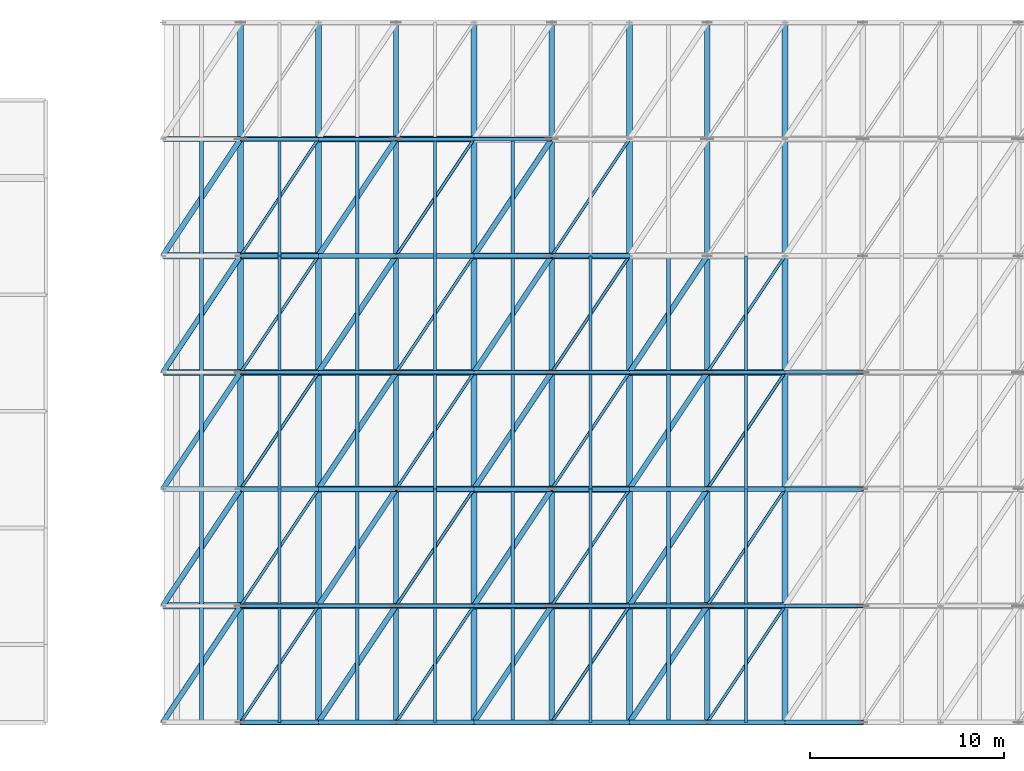
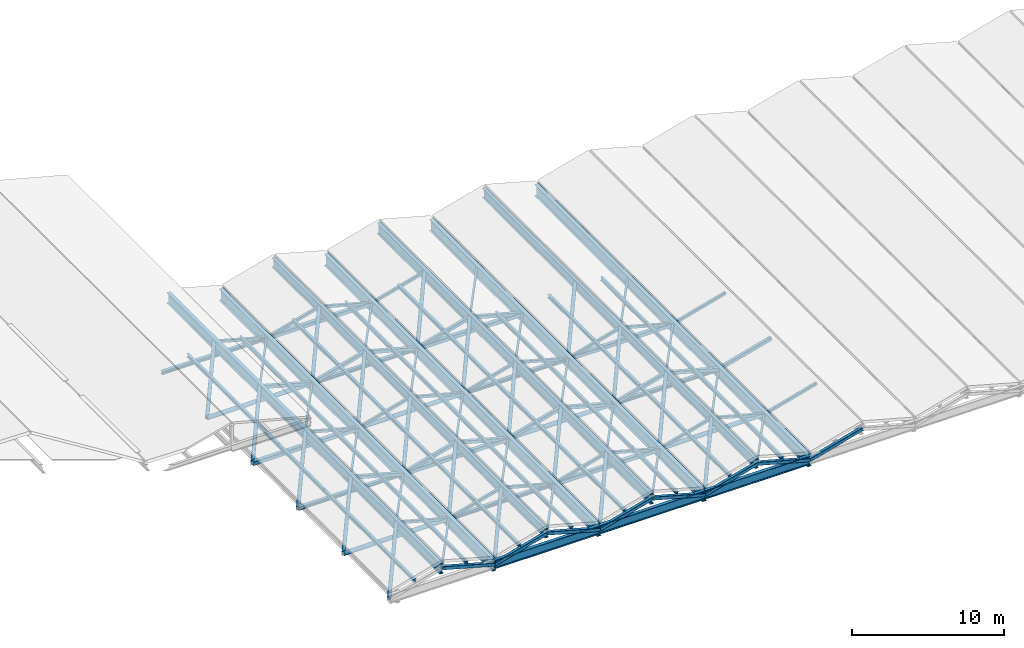
# One storey, part 4 of 27: 133 members, 11 beams.
"""IFC4 building model written with IfcOpenShell, lengths in metres."""

from ifc_helpers import new_model, si_unit, direction, frame, origin, origin_2d, place, context, subcontext, project, spatial, hollow_rectangle, hollow_circle, i_section, extrude, material, material_profile, profile_set, type_object, element, save


model = new_model("IFC4")

# Units and contexts
model_context = context("Model", 3, precision=1e-05, world=origin(), true_north=direction((0.0, 1.0)))
body_context = subcontext(model_context, "Body", "Model", "MODEL_VIEW")
ifc_project = project(units=[si_unit("LENGTHUNIT", "METRE"), si_unit("AREAUNIT", "SQUARE_METRE"), si_unit("VOLUMEUNIT", "CUBIC_METRE"), si_unit("PLANEANGLEUNIT", "RADIAN"), si_unit("MASSUNIT", "GRAM", prefix="KILO")], contexts=[model_context])

# Site, building, storey
site_placement = place(None, origin())
site = spatial("IfcSite", under=ifc_project, at=site_placement, CompositionType="ELEMENT")
building_placement = place(site_placement, origin())
building = spatial("IfcBuilding", under=site, at=building_placement, Name="Verrall Gate Interchange", CompositionType="ELEMENT")
storey_placement = place(building_placement, frame((0.0, 0.0, 32.800048828125)))
storey = spatial("IfcBuildingStorey", under=building, at=storey_placement, Name="RF", CompositionType="ELEMENT", Elevation=32.800048828125)

# Beams
ifc_material_1 = material(Name="Structural Steel CSA G40.21 350WT Cat 4", Category="steel")
ifc_material_profile_1 = material_profile(ifc_material_1, i_section(OverallWidth=0.30810546875, OverallDepth=0.927001953125, WebThickness=0.019287109375, FlangeThickness=0.03173828125, FilletRadius=0.02197265625, at=origin_2d()), Name="W920x345")
ifc_profile_set_1 = profile_set([ifc_material_profile_1], Name="Structural Steel CSA G40.21 350WT Cat 4")
beam_type_1 = type_object("IfcBeamType", Name="B-04 Structural Beam W920x345", PredefinedType="BEAM", material=ifc_profile_set_1)
for number, where, z_axis, x_axis, name in (
    (1, (44.0, 12.0, -16.921630859375), (0.0, 1.0, 0.0), (-1.0, 0.0, 0.0), "Folded-Plate Valley Girder X=44"),
    (2, (52.0, 12.0, -16.921630859375), (0.0, 1.0, 0.0), (-1.0, 0.0, 0.0), "Folded-Plate Valley Girder X=52"),
    (3, (60.0, 12.0, -16.921630859375), (0.0, 1.0, 0.0), (-1.0, 0.0, 0.0), "Folded-Plate Valley Girder X=60"),
    (4, (68.0, 12.0, -16.921630859375), (0.0, 1.0, 0.0), (-1.0, 0.0, 0.0), "Folded-Plate Valley Girder X=68"),
):
    element("IfcBeam", number, at=place(storey_placement, frame(where, z_axis=z_axis, x_axis=x_axis)), inside=storey, type_object=beam_type_1, Name=name, PredefinedType="BEAM", context=body_context, shape_type="SweptSolid", body=[
        extrude(i_section(OverallWidth=0.30810546875, OverallDepth=0.927001953125, WebThickness=0.019287109375, FlangeThickness=0.03173828125, FilletRadius=0.02197265625, at=origin_2d()), origin(), (0.0, 0.0, 1.0), 36.0),
    ])
ifc_material_2 = material(Name="Structural Steel CSA G40.21 350WT Cat 4", Category="steel")
ifc_material_profile_2 = material_profile(ifc_material_2, i_section(OverallWidth=0.2919921875, OverallDepth=0.85498046875, WebThickness=0.018310546875, FlangeThickness=0.029296875, FilletRadius=0.02001953125, at=origin_2d()), Name="W840x299")
ifc_profile_set_2 = profile_set([ifc_material_profile_2], Name="Structural Steel CSA G40.21 350WT Cat 4")
beam_type_2 = type_object("IfcBeamType", Name="B-05 Structural Beam W840x299", PredefinedType="BEAM", material=ifc_profile_set_2)
for number, where, z_axis, x_axis, name in (
    (5, (40.0, 12.0, -15.78564453125), (0.0, 1.0, 0.0), (-1.0, 0.0, 0.0), "Folded-Plate Ridge Girder 01"),
    (6, (56.0, 12.0, -15.78564453125), (0.0, 1.0, 0.0), (-1.0, 0.0, 0.0), "Folded-Plate Ridge Girder 03"),
):
    element("IfcBeam", number, at=place(storey_placement, frame(where, z_axis=z_axis, x_axis=x_axis)), inside=storey, type_object=beam_type_2, Name=name, PredefinedType="BEAM", context=body_context, shape_type="SweptSolid", body=[
        extrude(i_section(OverallWidth=0.2919921875, OverallDepth=0.85498046875, WebThickness=0.018310546875, FlangeThickness=0.029296875, FilletRadius=0.02001953125, at=origin_2d()), origin(), (0.0, 0.0, 1.0), 36.0),
    ])
ifc_material_3 = material(Name="Structural Steel CSA G40.21 350WT Cat 4", Category="steel")
ifc_material_profile_3 = material_profile(ifc_material_3, i_section(OverallWidth=0.26611328125, OverallDepth=0.760009765625, WebThickness=0.015625, FlangeThickness=0.023681640625, FilletRadius=0.01806640625, at=origin_2d()), Name="W760x220")
ifc_profile_set_3 = profile_set([ifc_material_profile_3], Name="Structural Steel CSA G40.21 350WT Cat 4")
beam_type_3 = type_object("IfcBeamType", Name="B-06 Structural Beam W760x220", PredefinedType="BEAM", material=ifc_profile_set_3)
for number, where, z_axis, x_axis, name in (
    (7, (48.0, 12.0, -15.73828125), (0.0, 1.0, 0.0), (-1.0, 0.0, 0.0), "Folded-Plate Ridge Girder 02"),
    (8, (64.0, 12.0, -15.73828125), (0.0, 1.0, 0.0), (-1.0, 0.0, 0.0), "Folded-Plate Ridge Girder 04"),
):
    element("IfcBeam", number, at=place(storey_placement, frame(where, z_axis=z_axis, x_axis=x_axis)), inside=storey, type_object=beam_type_3, Name=name, PredefinedType="BEAM", context=body_context, shape_type="SweptSolid", body=[
        extrude(i_section(OverallWidth=0.26611328125, OverallDepth=0.760009765625, WebThickness=0.015625, FlangeThickness=0.023681640625, FilletRadius=0.01806640625, at=origin_2d()), origin(), (0.0, 0.0, 1.0), 36.0),
    ])
ifc_material_4 = material(Name="Structural Steel CSA G40.21 350WT Cat 4", Category="steel")
ifc_material_profile_4 = material_profile(ifc_material_4, i_section(OverallWidth=0.256103515625, OverallDepth=0.693115234375, WebThickness=0.01318359375, FlangeThickness=0.02001953125, FilletRadius=0.01611328125, at=origin_2d()), Name="W690x170")
ifc_profile_set_4 = profile_set([ifc_material_profile_4], Name="Structural Steel CSA G40.21 350WT Cat 4")
beam_type_4 = type_object("IfcBeamType", Name="B-07 Structural Beam W690x170", PredefinedType="BEAM", material=ifc_profile_set_4)
for number, where, z_axis, x_axis, name in (
    (9, (44.0, 12.0, -16.8046875), (1.0, 0.0, 0.0), (0.0, 1.0, 0.0), "Concourse Roof End Tie Girder 02"),
    (10, (52.0, 12.0, -16.8046875), (1.0, 0.0, 0.0), (0.0, 1.0, 0.0), "Concourse Roof End Tie Girder 03"),
    (11, (60.0, 12.0, -16.8046875), (1.0, 0.0, 0.0), (0.0, 1.0, 0.0), "Concourse Roof End Tie Girder 04"),
):
    element("IfcBeam", number, at=place(storey_placement, frame(where, z_axis=z_axis, x_axis=x_axis)), inside=storey, type_object=beam_type_4, Name=name, PredefinedType="BEAM", context=body_context, shape_type="SweptSolid", body=[
        extrude(i_section(OverallWidth=0.256103515625, OverallDepth=0.693115234375, WebThickness=0.01318359375, FlangeThickness=0.02001953125, FilletRadius=0.01611328125, at=origin_2d()), origin(), (0.0, 0.0, 1.0), 8.0),
    ])

# Members
ifc_material_5 = material(Name="Structural Steel CSA G40.21 350WT Cat 4", Category="steel")
ifc_material_profile_5 = material_profile(ifc_material_5, hollow_circle(Radius=0.136474609375, WallThickness=0.009521484375, at=origin_2d()), Name="HSS273x9.5")
ifc_profile_set_5 = profile_set([ifc_material_profile_5], Name="Structural Steel CSA G40.21 350WT Cat 4")
member_type_1 = type_object("IfcMemberType", Name="BR-01 Diagonal Brace HSS273x9.5", PredefinedType="BRACE", material=ifc_profile_set_5)
for number, where, z_axis, x_axis, name in (
    (12, (36.0, 12.0, -16.808349609375), (0.548355855136, 0.822533782704, 0.150811247756), (-0.832050294338, 0.554700196225, 0.0), "Folded-Plate Space Truss Diagonal W 1.0"),
    (13, (36.0, 18.0, -16.808349609375), (0.548355855136, 0.822533782704, 0.150811247756), (-0.832050294338, 0.554700196225, 0.0), "Folded-Plate Space Truss Diagonal W 1.1"),
    (14, (36.0, 24.0, -16.808349609375), (0.548355855136, 0.822533782704, 0.150811247756), (-0.832050294338, 0.554700196225, 0.0), "Folded-Plate Space Truss Diagonal W 1.2"),
    (15, (36.0, 30.0, -16.808349609375), (0.548355855136, 0.822533782704, 0.150811247756), (-0.832050294338, 0.554700196225, 0.0), "Folded-Plate Space Truss Diagonal W 1.3"),
    (16, (36.0, 36.0, -16.808349609375), (0.548355855136, 0.822533782704, 0.150811247756), (-0.832050294338, 0.554700196225, 0.0), "Folded-Plate Space Truss Diagonal W 1.4"),
    (17, (44.0, 12.0, -16.808349609375), (0.548355855136, 0.822533782704, 0.150811247756), (-0.832050294338, 0.554700196225, 0.0), "Folded-Plate Space Truss Diagonal W 2.0"),
    (18, (44.0, 18.0, -16.808349609375), (0.548355855136, 0.822533782704, 0.150811247756), (-0.832050294338, 0.554700196225, 0.0), "Folded-Plate Space Truss Diagonal W 2.1"),
    (19, (44.0, 24.0, -16.808349609375), (0.548355855136, 0.822533782704, 0.150811247756), (-0.832050294338, 0.554700196225, 0.0), "Folded-Plate Space Truss Diagonal W 2.2"),
    (20, (44.0, 30.0, -16.808349609375), (0.548355855136, 0.822533782704, 0.150811247756), (-0.832050294338, 0.554700196225, 0.0), "Folded-Plate Space Truss Diagonal W 2.3"),
    (21, (44.0, 36.0, -16.808349609375), (0.548355855136, 0.822533782704, 0.150811247756), (-0.832050294338, 0.554700196225, 0.0), "Folded-Plate Space Truss Diagonal W 2.4"),
    (22, (52.0, 12.0, -16.808349609375), (0.548355855136, 0.822533782704, 0.150811247756), (-0.832050294338, 0.554700196225, 0.0), "Folded-Plate Space Truss Diagonal W 3.0"),
    (23, (52.0, 18.0, -16.808349609375), (0.548355855136, 0.822533782704, 0.150811247756), (-0.832050294338, 0.554700196225, 0.0), "Folded-Plate Space Truss Diagonal W 3.1"),
    (24, (52.0, 24.0, -16.808349609375), (0.548355855136, 0.822533782704, 0.150811247756), (-0.832050294338, 0.554700196225, 0.0), "Folded-Plate Space Truss Diagonal W 3.2"),
    (25, (52.0, 30.0, -16.808349609375), (0.548355855136, 0.822533782704, 0.150811247756), (-0.832050294338, 0.554700196225, 0.0), "Folded-Plate Space Truss Diagonal W 3.3"),
    (26, (52.0, 36.0, -16.808349609375), (0.548355855136, 0.822533782704, 0.150811247756), (-0.832050294338, 0.554700196225, 0.0), "Folded-Plate Space Truss Diagonal W 3.4"),
    (27, (60.0, 12.0, -16.808349609375), (0.548355855136, 0.822533782704, 0.150811247756), (-0.832050294338, 0.554700196225, 0.0), "Folded-Plate Space Truss Diagonal W 4.0"),
    (28, (60.0, 18.0, -16.808349609375), (0.548355855136, 0.822533782704, 0.150811247756), (-0.832050294338, 0.554700196225, 0.0), "Folded-Plate Space Truss Diagonal W 4.1"),
    (29, (60.0, 24.0, -16.808349609375), (0.548355855136, 0.822533782704, 0.150811247756), (-0.832050294338, 0.554700196225, 0.0), "Folded-Plate Space Truss Diagonal W 4.2"),
    (30, (60.0, 30.0, -16.808349609375), (0.548355855136, 0.822533782704, 0.150811247756), (-0.832050294338, 0.554700196225, 0.0), "Folded-Plate Space Truss Diagonal W 4.3"),
):
    element("IfcMember", number, at=place(storey_placement, frame(where, z_axis=z_axis, x_axis=x_axis)), inside=storey, type_object=member_type_1, Name=name, PredefinedType="BRACE", context=body_context, shape_type="SweptSolid", body=[
        extrude(hollow_circle(Radius=0.136474609375, WallThickness=0.009521484375, at=origin_2d()), origin(), (0.0, 0.0, 1.0), 7.29443359375),
    ])
ifc_material_6 = material(Name="Structural Steel CSA G40.21 350WT Cat 4", Category="steel")
ifc_material_profile_6 = material_profile(ifc_material_6, hollow_rectangle(XDim=0.152099609375, YDim=0.152099609375, WallThickness=0.008056640625, InnerFilletRadius=0.008056640625, OuterFilletRadius=0.015869140625, at=origin_2d()), Name="HSS152x152x8.0")
ifc_profile_set_6 = profile_set([ifc_material_profile_6], Name="Structural Steel CSA G40.21 350WT Cat 4")
member_type_2 = type_object("IfcMemberType", Name="BR-04 Diagonal Brace HSS152x152x8.0", PredefinedType="BRACE", material=ifc_profile_set_6)
for number, where, z_axis, x_axis, name in (
    (31, (40.0, 12.0, -15.708251953125), (0.548355855136, 0.822533782704, -0.150811247756), (-0.832050294338, 0.554700196225, 0.0), "Folded-Plate Space Truss Diagonal E 1.0"),
    (32, (40.0, 18.0, -15.708251953125), (0.548355855136, 0.822533782704, -0.150811247756), (-0.832050294338, 0.554700196225, 0.0), "Folded-Plate Space Truss Diagonal E 1.1"),
    (33, (40.0, 24.0, -15.708251953125), (0.548355855136, 0.822533782704, -0.150811247756), (-0.832050294338, 0.554700196225, 0.0), "Folded-Plate Space Truss Diagonal E 1.2"),
    (34, (40.0, 30.0, -15.708251953125), (0.548355855136, 0.822533782704, -0.150811247756), (-0.832050294338, 0.554700196225, 0.0), "Folded-Plate Space Truss Diagonal E 1.3"),
    (35, (40.0, 36.0, -15.708251953125), (0.548355855136, 0.822533782704, -0.150811247756), (-0.832050294338, 0.554700196225, 0.0), "Folded-Plate Space Truss Diagonal E 1.4"),
    (36, (48.0, 12.0, -15.708251953125), (0.548355855136, 0.822533782704, -0.150811247756), (-0.832050294338, 0.554700196225, 0.0), "Folded-Plate Space Truss Diagonal E 2.0"),
    (37, (48.0, 18.0, -15.708251953125), (0.548355855136, 0.822533782704, -0.150811247756), (-0.832050294338, 0.554700196225, 0.0), "Folded-Plate Space Truss Diagonal E 2.1"),
    (38, (48.0, 24.0, -15.708251953125), (0.548355855136, 0.822533782704, -0.150811247756), (-0.832050294338, 0.554700196225, 0.0), "Folded-Plate Space Truss Diagonal E 2.2"),
    (39, (48.0, 30.0, -15.708251953125), (0.548355855136, 0.822533782704, -0.150811247756), (-0.832050294338, 0.554700196225, 0.0), "Folded-Plate Space Truss Diagonal E 2.3"),
    (40, (48.0, 36.0, -15.708251953125), (0.548355855136, 0.822533782704, -0.150811247756), (-0.832050294338, 0.554700196225, 0.0), "Folded-Plate Space Truss Diagonal E 2.4"),
    (41, (56.0, 12.0, -15.708251953125), (0.548355855136, 0.822533782704, -0.150811247756), (-0.832050294338, 0.554700196225, 0.0), "Folded-Plate Space Truss Diagonal E 3.0"),
    (42, (56.0, 18.0, -15.708251953125), (0.548355855136, 0.822533782704, -0.150811247756), (-0.832050294338, 0.554700196225, 0.0), "Folded-Plate Space Truss Diagonal E 3.1"),
    (43, (56.0, 24.0, -15.708251953125), (0.548355855136, 0.822533782704, -0.150811247756), (-0.832050294338, 0.554700196225, 0.0), "Folded-Plate Space Truss Diagonal E 3.2"),
    (44, (56.0, 30.0, -15.708251953125), (0.548355855136, 0.822533782704, -0.150811247756), (-0.832050294338, 0.554700196225, 0.0), "Folded-Plate Space Truss Diagonal E 3.3"),
    (45, (56.0, 36.0, -15.708251953125), (0.548355855136, 0.822533782704, -0.150811247756), (-0.832050294338, 0.554700196225, 0.0), "Folded-Plate Space Truss Diagonal E 3.4"),
    (46, (64.0, 12.0, -15.708251953125), (0.548355855136, 0.822533782704, -0.150811247756), (-0.832050294338, 0.554700196225, 0.0), "Folded-Plate Space Truss Diagonal E 4.0"),
    (47, (64.0, 18.0, -15.708251953125), (0.548355855136, 0.822533782704, -0.150811247756), (-0.832050294338, 0.554700196225, 0.0), "Folded-Plate Space Truss Diagonal E 4.1"),
    (48, (64.0, 24.0, -15.708251953125), (0.548355855136, 0.822533782704, -0.150811247756), (-0.832050294338, 0.554700196225, 0.0), "Folded-Plate Space Truss Diagonal E 4.2"),
    (49, (64.0, 30.0, -15.708251953125), (0.548355855136, 0.822533782704, -0.150811247756), (-0.832050294338, 0.554700196225, 0.0), "Folded-Plate Space Truss Diagonal E 4.3"),
):
    element("IfcMember", number, at=place(storey_placement, frame(where, z_axis=z_axis, x_axis=x_axis)), inside=storey, type_object=member_type_2, Name=name, PredefinedType="BRACE", context=body_context, shape_type="SweptSolid", body=[
        extrude(hollow_rectangle(XDim=0.152099609375, YDim=0.152099609375, WallThickness=0.008056640625, InnerFilletRadius=0.008056640625, OuterFilletRadius=0.015869140625, at=origin_2d()), origin(), (0.0, 0.0, 1.0), 7.29443359375),
    ])
ifc_material_7 = material(Name="Structural Steel CSA G40.21 350WT Cat 4", Category="steel")
ifc_material_profile_7 = material_profile(ifc_material_7, hollow_rectangle(XDim=0.304931640625, YDim=0.304931640625, WallThickness=0.0126953125, InnerFilletRadius=0.0126953125, OuterFilletRadius=0.025390625, at=origin_2d()), Name="HSS305x305x13")
ifc_profile_set_7 = profile_set([ifc_material_profile_7], Name="Structural Steel CSA G40.21 350WT Cat 4")
member_type_3 = type_object("IfcMemberType", Name="CH-01 Truss Chord HSS305x305x13", PredefinedType="CHORD", material=ifc_profile_set_7)
for number, where, z_axis, x_axis, name in (
    (50, (36.0, 30.0, -16.808349609375), (1.0, 0.0, 0.0), (0.0, 1.0, 0.0), "Concourse Fold Bottom Chord 1.3"),
    (51, (44.0, 24.0, -16.808349609375), (1.0, 0.0, 0.0), (0.0, 1.0, 0.0), "Concourse Fold Bottom Chord 2.2"),
    (52, (44.0, 42.0, -16.808349609375), (1.0, 0.0, 0.0), (0.0, 1.0, 0.0), "Concourse Fold Bottom Chord 2.5"),
    (53, (52.0, 18.0, -16.808349609375), (1.0, 0.0, 0.0), (0.0, 1.0, 0.0), "Concourse Fold Bottom Chord 3.1"),
    (54, (52.0, 36.0, -16.808349609375), (1.0, 0.0, 0.0), (0.0, 1.0, 0.0), "Concourse Fold Bottom Chord 3.4"),
    (55, (60.0, 30.0, -16.808349609375), (1.0, 0.0, 0.0), (0.0, 1.0, 0.0), "Concourse Fold Bottom Chord 4.3"),
):
    element("IfcMember", number, at=place(storey_placement, frame(where, z_axis=z_axis, x_axis=x_axis)), inside=storey, type_object=member_type_3, Name=name, PredefinedType="CHORD", context=body_context, shape_type="SweptSolid", body=[
        extrude(hollow_rectangle(XDim=0.304931640625, YDim=0.304931640625, WallThickness=0.0126953125, InnerFilletRadius=0.0126953125, OuterFilletRadius=0.025390625, at=origin_2d()), origin(), (0.0, 0.0, 1.0), 8.0),
    ])
ifc_material_8 = material(Name="Structural Steel CSA G40.21 350WT Cat 4", Category="steel")
ifc_material_profile_8 = material_profile(ifc_material_8, hollow_circle(Radius=0.161865234375, WallThickness=0.0126953125, at=origin_2d()), Name="HSS324x13")
ifc_profile_set_8 = profile_set([ifc_material_profile_8], Name="Structural Steel CSA G40.21 350WT Cat 4")
member_type_4 = type_object("IfcMemberType", Name="CH-02 Truss Chord HSS324x13", PredefinedType="CHORD", material=ifc_profile_set_8)
for number, where, z_axis, x_axis, name in (
    (56, (36.0, 18.0, -16.808349609375), (1.0, 0.0, 0.0), (0.0, 1.0, 0.0), "Concourse Fold Bottom Chord 1.1"),
    (57, (36.0, 36.0, -16.808349609375), (1.0, 0.0, 0.0), (0.0, 1.0, 0.0), "Concourse Fold Bottom Chord 1.4"),
    (58, (44.0, 30.0, -16.808349609375), (1.0, 0.0, 0.0), (0.0, 1.0, 0.0), "Concourse Fold Bottom Chord 2.3"),
    (59, (52.0, 24.0, -16.808349609375), (1.0, 0.0, 0.0), (0.0, 1.0, 0.0), "Concourse Fold Bottom Chord 3.2"),
    (60, (60.0, 18.0, -16.808349609375), (1.0, 0.0, 0.0), (0.0, 1.0, 0.0), "Concourse Fold Bottom Chord 4.1"),
):
    element("IfcMember", number, at=place(storey_placement, frame(where, z_axis=z_axis, x_axis=x_axis)), inside=storey, type_object=member_type_4, Name=name, PredefinedType="CHORD", context=body_context, shape_type="SweptSolid", body=[
        extrude(hollow_circle(Radius=0.161865234375, WallThickness=0.0126953125, at=origin_2d()), origin(), (0.0, 0.0, 1.0), 8.0),
    ])
ifc_material_9 = material(Name="Structural Steel CSA G40.21 350WT Cat 4", Category="steel")
ifc_material_profile_9 = material_profile(ifc_material_9, i_section(OverallWidth=0.25390625, OverallDepth=0.2529296875, WebThickness=0.008544921875, FlangeThickness=0.01416015625, FilletRadius=0.011962890625, at=origin_2d()), Name="W250x73")
ifc_profile_set_9 = profile_set([ifc_material_profile_9], Name="Structural Steel CSA G40.21 350WT Cat 4")
member_type_5 = type_object("IfcMemberType", Name="CH-03 Truss Chord W250x73", PredefinedType="CHORD", material=ifc_profile_set_9)
for number, where, z_axis, x_axis, name in (
    (61, (36.0, 24.0, -16.808349609375), (1.0, 0.0, 0.0), (0.0, 1.0, 0.0), "Concourse Fold Bottom Chord 1.2"),
    (62, (36.0, 42.0, -16.808349609375), (1.0, 0.0, 0.0), (0.0, 1.0, 0.0), "Concourse Fold Bottom Chord 1.5"),
    (63, (44.0, 18.0, -16.808349609375), (1.0, 0.0, 0.0), (0.0, 1.0, 0.0), "Concourse Fold Bottom Chord 2.1"),
    (64, (44.0, 36.0, -16.808349609375), (1.0, 0.0, 0.0), (0.0, 1.0, 0.0), "Concourse Fold Bottom Chord 2.4"),
    (65, (52.0, 30.0, -16.808349609375), (1.0, 0.0, 0.0), (0.0, 1.0, 0.0), "Concourse Fold Bottom Chord 3.3"),
    (66, (60.0, 24.0, -16.808349609375), (1.0, 0.0, 0.0), (0.0, 1.0, 0.0), "Concourse Fold Bottom Chord 4.2"),
):
    element("IfcMember", number, at=place(storey_placement, frame(where, z_axis=z_axis, x_axis=x_axis)), inside=storey, type_object=member_type_5, Name=name, PredefinedType="CHORD", context=body_context, shape_type="SweptSolid", body=[
        extrude(i_section(OverallWidth=0.25390625, OverallDepth=0.2529296875, WebThickness=0.008544921875, FlangeThickness=0.01416015625, FilletRadius=0.011962890625, at=origin_2d()), origin(), (0.0, 0.0, 1.0), 8.0),
    ])
ifc_material_10 = material(Name="Structural Steel CSA G40.21 350WT Cat 4", Category="steel")
ifc_material_profile_10 = material_profile(ifc_material_10, i_section(OverallWidth=0.201904296875, OverallDepth=0.2470703125, WebThickness=0.00732421875, FlangeThickness=0.010986328125, FilletRadius=0.010986328125, at=origin_2d()), Name="W250x49")
ifc_profile_set_10 = profile_set([ifc_material_profile_10], Name="Structural Steel CSA G40.21 350WT Cat 4")
member_type_6 = type_object("IfcMemberType", Name="PR-01 Roof Purlin W250x49", PredefinedType="PURLIN", material=ifc_profile_set_10)
for number, where, z_axis, x_axis, name in (
    (67, (38.0, 12.0, -16.068359375), (0.0, 1.0, 0.0), (-1.0, 0.0, 0.0), "Concourse Roof Purlin W 1.0"),
    (68, (38.0, 18.0, -16.068359375), (0.0, 1.0, 0.0), (-1.0, 0.0, 0.0), "Concourse Roof Purlin W 1.1"),
    (69, (38.0, 24.0, -16.068359375), (0.0, 1.0, 0.0), (-1.0, 0.0, 0.0), "Concourse Roof Purlin W 1.2"),
    (70, (38.0, 30.0, -16.068359375), (0.0, 1.0, 0.0), (-1.0, 0.0, 0.0), "Concourse Roof Purlin W 1.3"),
    (71, (38.0, 36.0, -16.068359375), (0.0, 1.0, 0.0), (-1.0, 0.0, 0.0), "Concourse Roof Purlin W 1.4"),
    (72, (46.0, 12.0, -16.068359375), (0.0, 1.0, 0.0), (-1.0, 0.0, 0.0), "Concourse Roof Purlin W 2.0"),
    (73, (46.0, 18.0, -16.068359375), (0.0, 1.0, 0.0), (-1.0, 0.0, 0.0), "Concourse Roof Purlin W 2.1"),
    (74, (46.0, 24.0, -16.068359375), (0.0, 1.0, 0.0), (-1.0, 0.0, 0.0), "Concourse Roof Purlin W 2.2"),
    (75, (46.0, 30.0, -16.068359375), (0.0, 1.0, 0.0), (-1.0, 0.0, 0.0), "Concourse Roof Purlin W 2.3"),
    (76, (46.0, 36.0, -16.068359375), (0.0, 1.0, 0.0), (-1.0, 0.0, 0.0), "Concourse Roof Purlin W 2.4"),
    (77, (54.0, 12.0, -16.068359375), (0.0, 1.0, 0.0), (-1.0, 0.0, 0.0), "Concourse Roof Purlin W 3.0"),
    (78, (54.0, 18.0, -16.068359375), (0.0, 1.0, 0.0), (-1.0, 0.0, 0.0), "Concourse Roof Purlin W 3.1"),
    (79, (54.0, 24.0, -16.068359375), (0.0, 1.0, 0.0), (-1.0, 0.0, 0.0), "Concourse Roof Purlin W 3.2"),
    (80, (54.0, 30.0, -16.068359375), (0.0, 1.0, 0.0), (-1.0, 0.0, 0.0), "Concourse Roof Purlin W 3.3"),
    (81, (54.0, 36.0, -16.068359375), (0.0, 1.0, 0.0), (-1.0, 0.0, 0.0), "Concourse Roof Purlin W 3.4"),
    (82, (62.0, 12.0, -16.068359375), (0.0, 1.0, 0.0), (-1.0, 0.0, 0.0), "Concourse Roof Purlin W 4.0"),
    (83, (62.0, 18.0, -16.068359375), (0.0, 1.0, 0.0), (-1.0, 0.0, 0.0), "Concourse Roof Purlin W 4.1"),
    (84, (62.0, 24.0, -16.068359375), (0.0, 1.0, 0.0), (-1.0, 0.0, 0.0), "Concourse Roof Purlin W 4.2"),
    (85, (62.0, 30.0, -16.068359375), (0.0, 1.0, 0.0), (-1.0, 0.0, 0.0), "Concourse Roof Purlin W 4.3"),
):
    element("IfcMember", number, at=place(storey_placement, frame(where, z_axis=z_axis, x_axis=x_axis)), inside=storey, type_object=member_type_6, Name=name, PredefinedType="PURLIN", context=body_context, shape_type="SweptSolid", body=[
        extrude(i_section(OverallWidth=0.201904296875, OverallDepth=0.2470703125, WebThickness=0.00732421875, FlangeThickness=0.010986328125, FilletRadius=0.010986328125, at=origin_2d()), origin(), (0.0, 0.0, 1.0), 6.0),
    ])
ifc_material_11 = material(Name="Structural Steel CSA G40.21 350WT Cat 4", Category="steel")
ifc_material_profile_11 = material_profile(ifc_material_11, i_section(OverallWidth=0.1650390625, OverallDepth=0.31005859375, WebThickness=0.005859375, FlangeThickness=0.009765625, FilletRadius=0.010009765625, at=origin_2d()), Name="W310x39")
ifc_profile_set_11 = profile_set([ifc_material_profile_11], Name="Structural Steel CSA G40.21 350WT Cat 4")
member_type_7 = type_object("IfcMemberType", Name="PR-03 Roof Purlin W310x39", PredefinedType="PURLIN", material=ifc_profile_set_11)
for number, where, z_axis, x_axis, name in (
    (86, (42.0, 12.0, -16.068359375), (0.0, 1.0, 0.0), (-1.0, 0.0, 0.0), "Concourse Roof Purlin E 1.0"),
    (87, (42.0, 18.0, -16.068359375), (0.0, 1.0, 0.0), (-1.0, 0.0, 0.0), "Concourse Roof Purlin E 1.1"),
    (88, (42.0, 24.0, -16.068359375), (0.0, 1.0, 0.0), (-1.0, 0.0, 0.0), "Concourse Roof Purlin E 1.2"),
    (89, (42.0, 30.0, -16.068359375), (0.0, 1.0, 0.0), (-1.0, 0.0, 0.0), "Concourse Roof Purlin E 1.3"),
    (90, (42.0, 36.0, -16.068359375), (0.0, 1.0, 0.0), (-1.0, 0.0, 0.0), "Concourse Roof Purlin E 1.4"),
    (91, (50.0, 12.0, -16.068359375), (0.0, 1.0, 0.0), (-1.0, 0.0, 0.0), "Concourse Roof Purlin E 2.0"),
    (92, (50.0, 18.0, -16.068359375), (0.0, 1.0, 0.0), (-1.0, 0.0, 0.0), "Concourse Roof Purlin E 2.1"),
    (93, (50.0, 24.0, -16.068359375), (0.0, 1.0, 0.0), (-1.0, 0.0, 0.0), "Concourse Roof Purlin E 2.2"),
    (94, (50.0, 30.0, -16.068359375), (0.0, 1.0, 0.0), (-1.0, 0.0, 0.0), "Concourse Roof Purlin E 2.3"),
    (95, (50.0, 36.0, -16.068359375), (0.0, 1.0, 0.0), (-1.0, 0.0, 0.0), "Concourse Roof Purlin E 2.4"),
    (96, (58.0, 12.0, -16.068359375), (0.0, 1.0, 0.0), (-1.0, 0.0, 0.0), "Concourse Roof Purlin E 3.0"),
    (97, (58.0, 18.0, -16.068359375), (0.0, 1.0, 0.0), (-1.0, 0.0, 0.0), "Concourse Roof Purlin E 3.1"),
    (98, (58.0, 24.0, -16.068359375), (0.0, 1.0, 0.0), (-1.0, 0.0, 0.0), "Concourse Roof Purlin E 3.2"),
    (99, (58.0, 30.0, -16.068359375), (0.0, 1.0, 0.0), (-1.0, 0.0, 0.0), "Concourse Roof Purlin E 3.3"),
    (100, (66.0, 12.0, -16.068359375), (0.0, 1.0, 0.0), (-1.0, 0.0, 0.0), "Concourse Roof Purlin E 4.0"),
    (101, (66.0, 18.0, -16.068359375), (0.0, 1.0, 0.0), (-1.0, 0.0, 0.0), "Concourse Roof Purlin E 4.1"),
    (102, (66.0, 24.0, -16.068359375), (0.0, 1.0, 0.0), (-1.0, 0.0, 0.0), "Concourse Roof Purlin E 4.2"),
    (103, (66.0, 30.0, -16.068359375), (0.0, 1.0, 0.0), (-1.0, 0.0, 0.0), "Concourse Roof Purlin E 4.3"),
):
    element("IfcMember", number, at=place(storey_placement, frame(where, z_axis=z_axis, x_axis=x_axis)), inside=storey, type_object=member_type_7, Name=name, PredefinedType="PURLIN", context=body_context, shape_type="SweptSolid", body=[
        extrude(i_section(OverallWidth=0.1650390625, OverallDepth=0.31005859375, WebThickness=0.005859375, FlangeThickness=0.009765625, FilletRadius=0.010009765625, at=origin_2d()), origin(), (0.0, 0.0, 1.0), 6.0),
    ])
ifc_material_12 = material(Name="Structural Steel CSA G40.21 350WT Cat 4", Category="steel")
ifc_material_profile_12 = material_profile(ifc_material_12, hollow_rectangle(XDim=0.25390625, YDim=0.25390625, WallThickness=0.009521484375, InnerFilletRadius=0.009521484375, OuterFilletRadius=0.01904296875, at=origin_2d()), Name="HSS254x254x9.5")
ifc_profile_set_12 = profile_set([ifc_material_profile_12], Name="Structural Steel CSA G40.21 350WT Cat 4")
member_type_8 = type_object("IfcMemberType", Name="RF-01 Folded Roof Rafter HSS254x254x9.5", PredefinedType="RAFTER", material=ifc_profile_set_12)
for number, where, z_axis, x_axis, name in (
    (104, (40.0, 12.0, -15.708251953125), (0.964199374188, 0.0, -0.265178367925), (0.0, 1.0, 0.0), "Concourse Fold Rafter E 1.0"),
    (105, (40.0, 24.0, -15.708251953125), (0.964199374188, 0.0, -0.265178367925), (0.0, 1.0, 0.0), "Concourse Fold Rafter E 1.2"),
    (106, (40.0, 36.0, -15.708251953125), (0.964199374188, 0.0, -0.265178367925), (0.0, 1.0, 0.0), "Concourse Fold Rafter E 1.4"),
    (107, (44.0, 12.0, -16.808349609375), (0.964199374188, 0.0, 0.265178367925), (0.0, 1.0, 0.0), "Concourse Fold Rafter W 2.0"),
    (108, (48.0, 12.0, -15.708251953125), (0.964199374188, 0.0, -0.265178367925), (0.0, 1.0, 0.0), "Concourse Fold Rafter E 2.0"),
    (109, (44.0, 24.0, -16.808349609375), (0.964199374188, 0.0, 0.265178367925), (0.0, 1.0, 0.0), "Concourse Fold Rafter W 2.2"),
    (110, (48.0, 24.0, -15.708251953125), (0.964199374188, 0.0, -0.265178367925), (0.0, 1.0, 0.0), "Concourse Fold Rafter E 2.2"),
    (111, (44.0, 36.0, -16.808349609375), (0.964199374188, 0.0, 0.265178367925), (0.0, 1.0, 0.0), "Concourse Fold Rafter W 2.4"),
    (112, (48.0, 36.0, -15.708251953125), (0.964199374188, 0.0, -0.265178367925), (0.0, 1.0, 0.0), "Concourse Fold Rafter E 2.4"),
    (113, (52.0, 12.0, -16.808349609375), (0.964199374188, 0.0, 0.265178367925), (0.0, 1.0, 0.0), "Concourse Fold Rafter W 3.0"),
    (114, (56.0, 12.0, -15.708251953125), (0.964199374188, 0.0, -0.265178367925), (0.0, 1.0, 0.0), "Concourse Fold Rafter E 3.0"),
    (115, (52.0, 24.0, -16.808349609375), (0.964199374188, 0.0, 0.265178367925), (0.0, 1.0, 0.0), "Concourse Fold Rafter W 3.2"),
    (116, (56.0, 24.0, -15.708251953125), (0.964199374188, 0.0, -0.265178367925), (0.0, 1.0, 0.0), "Concourse Fold Rafter E 3.2"),
    (117, (52.0, 36.0, -16.808349609375), (0.964199374188, 0.0, 0.265178367925), (0.0, 1.0, 0.0), "Concourse Fold Rafter W 3.4"),
    (118, (56.0, 36.0, -15.708251953125), (0.964199374188, 0.0, -0.265178367925), (0.0, 1.0, 0.0), "Concourse Fold Rafter E 3.4"),
    (119, (60.0, 12.0, -16.808349609375), (0.964199374188, 0.0, 0.265178367925), (0.0, 1.0, 0.0), "Concourse Fold Rafter W 4.0"),
    (120, (64.0, 12.0, -15.708251953125), (0.964199374188, 0.0, -0.265178367925), (0.0, 1.0, 0.0), "Concourse Fold Rafter E 4.0"),
    (121, (60.0, 24.0, -16.808349609375), (0.964199374188, 0.0, 0.265178367925), (0.0, 1.0, 0.0), "Concourse Fold Rafter W 4.2"),
    (122, (64.0, 24.0, -15.708251953125), (0.964199374188, 0.0, -0.265178367925), (0.0, 1.0, 0.0), "Concourse Fold Rafter E 4.2"),
    (123, (68.0, 12.0, -16.808349609375), (0.964199374188, 0.0, 0.265178367925), (0.0, 1.0, 0.0), "Concourse Fold Rafter W 5.0"),
    (124, (68.0, 24.0, -16.808349609375), (0.964199374188, 0.0, 0.265178367925), (0.0, 1.0, 0.0), "Concourse Fold Rafter W 5.2"),
):
    element("IfcMember", number, at=place(storey_placement, frame(where, z_axis=z_axis, x_axis=x_axis)), inside=storey, type_object=member_type_8, Name=name, PredefinedType="RAFTER", context=body_context, shape_type="SweptSolid", body=[
        extrude(hollow_rectangle(XDim=0.25390625, YDim=0.25390625, WallThickness=0.009521484375, InnerFilletRadius=0.009521484375, OuterFilletRadius=0.01904296875, at=origin_2d()), origin(), (0.0, 0.0, 1.0), 4.1484375),
    ])
ifc_material_13 = material(Name="Structural Steel CSA G40.21 350WT Cat 4", Category="steel")
ifc_material_profile_13 = material_profile(ifc_material_13, hollow_rectangle(XDim=0.202880859375, YDim=0.202880859375, WallThickness=0.009521484375, InnerFilletRadius=0.009521484375, OuterFilletRadius=0.01904296875, at=origin_2d()), Name="HSS203x203x9.5")
ifc_profile_set_13 = profile_set([ifc_material_profile_13], Name="Structural Steel CSA G40.21 350WT Cat 4")
member_type_9 = type_object("IfcMemberType", Name="RF-02 Folded Roof Rafter HSS203x203x9.5", PredefinedType="RAFTER", material=ifc_profile_set_13)
for number, where, z_axis, x_axis, name in (
    (125, (40.0, 18.0, -15.708251953125), (0.964199374188, 0.0, -0.265178367925), (0.0, 1.0, 0.0), "Concourse Fold Rafter E 1.1"),
    (126, (40.0, 30.0, -15.708251953125), (0.964199374188, 0.0, -0.265178367925), (0.0, 1.0, 0.0), "Concourse Fold Rafter E 1.3"),
    (127, (40.0, 42.0, -15.708251953125), (0.964199374188, 0.0, -0.265178367925), (0.0, 1.0, 0.0), "Concourse Fold Rafter E 1.5"),
    (128, (44.0, 18.0, -16.808349609375), (0.964199374188, 0.0, 0.265178367925), (0.0, 1.0, 0.0), "Concourse Fold Rafter W 2.1"),
    (129, (48.0, 18.0, -15.708251953125), (0.964199374188, 0.0, -0.265178367925), (0.0, 1.0, 0.0), "Concourse Fold Rafter E 2.1"),
    (130, (44.0, 30.0, -16.808349609375), (0.964199374188, 0.0, 0.265178367925), (0.0, 1.0, 0.0), "Concourse Fold Rafter W 2.3"),
    (131, (48.0, 30.0, -15.708251953125), (0.964199374188, 0.0, -0.265178367925), (0.0, 1.0, 0.0), "Concourse Fold Rafter E 2.3"),
    (132, (44.0, 42.0, -16.808349609375), (0.964199374188, 0.0, 0.265178367925), (0.0, 1.0, 0.0), "Concourse Fold Rafter W 2.5"),
    (133, (48.0, 42.0, -15.708251953125), (0.964199374188, 0.0, -0.265178367925), (0.0, 1.0, 0.0), "Concourse Fold Rafter E 2.5"),
    (134, (52.0, 18.0, -16.808349609375), (0.964199374188, 0.0, 0.265178367925), (0.0, 1.0, 0.0), "Concourse Fold Rafter W 3.1"),
    (135, (56.0, 18.0, -15.708251953125), (0.964199374188, 0.0, -0.265178367925), (0.0, 1.0, 0.0), "Concourse Fold Rafter E 3.1"),
    (136, (52.0, 30.0, -16.808349609375), (0.964199374188, 0.0, 0.265178367925), (0.0, 1.0, 0.0), "Concourse Fold Rafter W 3.3"),
    (137, (56.0, 30.0, -15.708251953125), (0.964199374188, 0.0, -0.265178367925), (0.0, 1.0, 0.0), "Concourse Fold Rafter E 3.3"),
    (138, (52.0, 42.0, -16.808349609375), (0.964199374188, 0.0, 0.265178367925), (0.0, 1.0, 0.0), "Concourse Fold Rafter W 3.5"),
    (139, (60.0, 18.0, -16.808349609375), (0.964199374188, 0.0, 0.265178367925), (0.0, 1.0, 0.0), "Concourse Fold Rafter W 4.1"),
    (140, (64.0, 18.0, -15.708251953125), (0.964199374188, 0.0, -0.265178367925), (0.0, 1.0, 0.0), "Concourse Fold Rafter E 4.1"),
    (141, (60.0, 30.0, -16.808349609375), (0.964199374188, 0.0, 0.265178367925), (0.0, 1.0, 0.0), "Concourse Fold Rafter W 4.3"),
    (142, (64.0, 30.0, -15.708251953125), (0.964199374188, 0.0, -0.265178367925), (0.0, 1.0, 0.0), "Concourse Fold Rafter E 4.3"),
    (143, (68.0, 18.0, -16.808349609375), (0.964199374188, 0.0, 0.265178367925), (0.0, 1.0, 0.0), "Concourse Fold Rafter W 5.1"),
    (144, (68.0, 30.0, -16.808349609375), (0.964199374188, 0.0, 0.265178367925), (0.0, 1.0, 0.0), "Concourse Fold Rafter W 5.3"),
):
    element("IfcMember", number, at=place(storey_placement, frame(where, z_axis=z_axis, x_axis=x_axis)), inside=storey, type_object=member_type_9, Name=name, PredefinedType="RAFTER", context=body_context, shape_type="SweptSolid", body=[
        extrude(hollow_rectangle(XDim=0.202880859375, YDim=0.202880859375, WallThickness=0.009521484375, InnerFilletRadius=0.009521484375, OuterFilletRadius=0.01904296875, at=origin_2d()), origin(), (0.0, 0.0, 1.0), 4.1484375),
    ])

save(model, "model.ifc")
